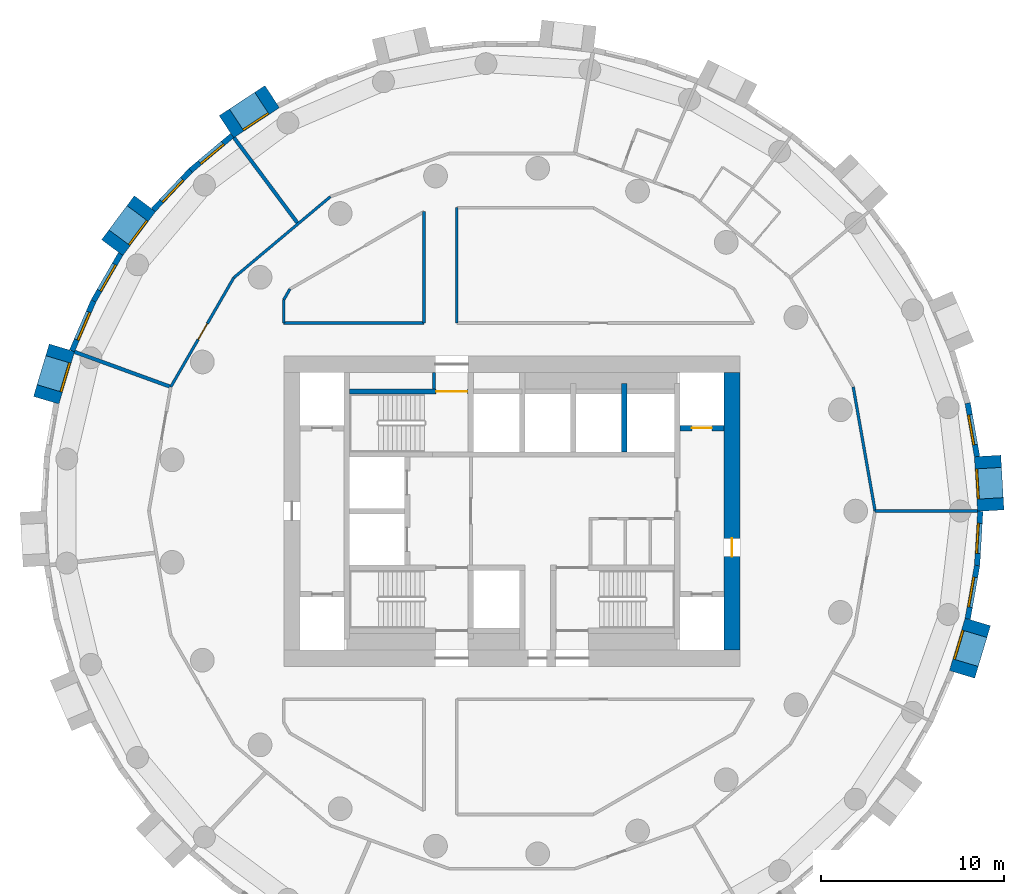
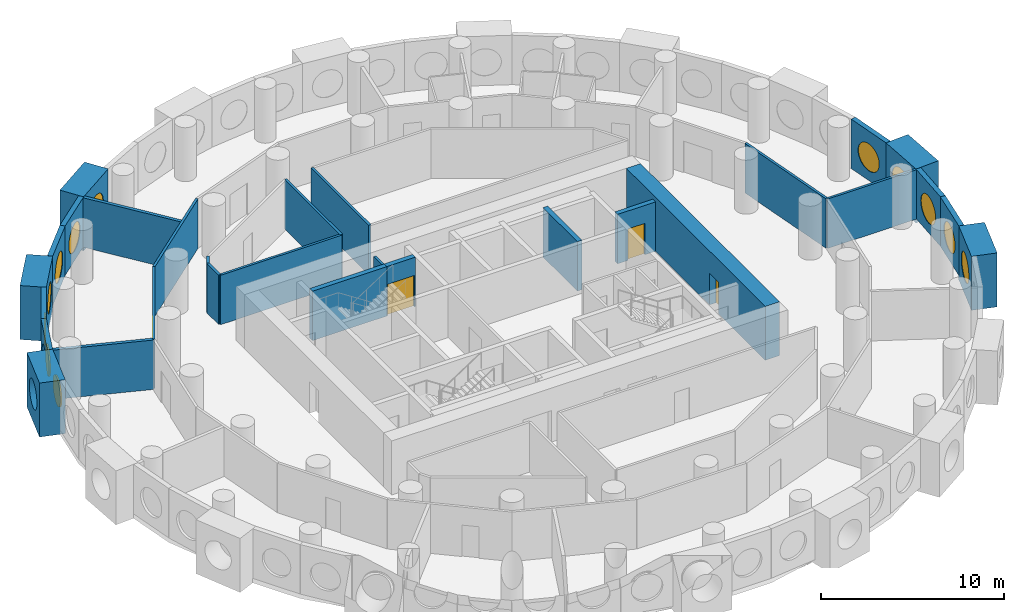
# One storey, part 5 of 9: 29 walls, 12 windows, 4 doors, 16 openings.
"""IFC4 building model written with IfcOpenShell, lengths in metres."""

from ifc_helpers import new_model, si_unit, direction, frame, frame_2d, origin, origin_2d, place, context, subcontext, project, spatial, rectangle, circle, extrude, material, layer, layer_set, type_object, element, fill, save


model = new_model("IFC4")

# Units and contexts
model_context = context("Model", 3, precision=1e-05, world=origin(), true_north=direction((0.0, 1.0)))
body_context = subcontext(model_context, "Body", "Model", "MODEL_VIEW")
ifc_project = project(units=[si_unit("LENGTHUNIT", "METRE"), si_unit("AREAUNIT", "SQUARE_METRE"), si_unit("VOLUMEUNIT", "CUBIC_METRE"), si_unit("PLANEANGLEUNIT", "RADIAN"), si_unit("MASSUNIT", "GRAM", prefix="KILO")], contexts=[model_context])

# Site, building, storey
site_placement = place(None, origin())
site = spatial("IfcSite", under=ifc_project, at=site_placement, CompositionType="ELEMENT")
building_placement = place(site_placement, origin())
building = spatial("IfcBuilding", under=site, at=building_placement, Name="Tracery Tower", CompositionType="ELEMENT")
storey_placement = place(building_placement, frame((0.0, 0.0, 151.199951171875)))
storey = spatial("IfcBuildingStorey", under=building, at=storey_placement, Name="L38", CompositionType="ELEMENT", Elevation=151.199951171875)

# Wall
ifc_material_1 = material(Name="Plasterboard on steel studs", Category="steel")
ifc_layer_1 = layer(ifc_material_1, 0.14990234375)
ifc_layer_set_1 = layer_set([ifc_layer_1], Name="Core room partition 150")
wall_type_1 = type_object("IfcWallType", Name="Core room partition 150", PredefinedType="SOLIDWALL", material=ifc_layer_set_1)
wall_1_placement = place(storey_placement, frame((-4.27490234375, 6.699951171875, 0.0), z_axis=(0.0, 0.0, 1.0), x_axis=(0.0, 1.0, 0.0)))
element("IfcWall", 1, at=wall_1_placement, inside=storey, type_object=wall_type_1, Name="L38 F N room", PredefinedType="SOLIDWALL", context=body_context, shape_type="SweptSolid", body=[
    extrude(rectangle(XDim=0.900146484375, YDim=0.14990234375, at=frame_2d((0.4501953125, 0.0))), origin(), (0.0, 0.0, 1.0), 3.300048828125),
])

# Wall, opening, door
ifc_material_2 = material(Name="Concrete C50/60", Category="concrete")
ifc_layer_2 = layer(ifc_material_2, 0.89990234375)
ifc_layer_set_2 = layer_set([ifc_layer_2], Name="Core wall 900 C50")
wall_type_2 = type_object("IfcWallType", Name="Core wall 900 C50", PredefinedType="SOLIDWALL", material=ifc_layer_set_2)
wall_2_placement = place(storey_placement, frame((12.050048828125, -7.60009765625, 0.0), z_axis=(0.0, 0.0, 1.0), x_axis=(0.0, 1.0, 0.0)))
wall_2 = element("IfcWall", 2, at=wall_2_placement, inside=storey, type_object=wall_type_2, Name="L38 outer E", PredefinedType="SOLIDWALL", context=body_context, shape_type="SweptSolid", body=[
    extrude(rectangle(XDim=15.2001953125, YDim=0.89990234375, at=frame_2d((7.60009765625, 0.0))), origin(), (0.0, 0.0, 1.0), 3.60009765625),
])
opening_1_placement = place(wall_2_placement, frame((5.10009765625, 0.0, 0.0)))
opening_1 = element("IfcOpeningElement", 3, at=opening_1_placement, cuts=wall_2, Name="Opening KD18", PredefinedType="OPENING", context=body_context, shape_type="SweptSolid", body=[
    extrude(rectangle(XDim=1.0, YDim=2.10009765625, at=frame_2d((0.5, 1.050048828125))), frame((0.0, 0.449951171875, 0.0), z_axis=(0.0, -1.0, 0.0), x_axis=(1.0, 0.0, 0.0)), (0.0, 0.0, 1.0), 0.89990234375),
])
ifc_material_3 = material(Name="Steel fire door", Category="steel")
door_type_1 = type_object("IfcDoorType", Name="Core exit door 1000", OperationType="NOTDEFINED", PredefinedType="DOOR", material=ifc_material_3)
door_1_placement = place(opening_1_placement, origin())
door_1 = element("IfcDoor", 4, at=door_1_placement, inside=storey, type_object=door_type_1, Name="Core exit door", OperationType="DOUBLE_DOOR_SINGLE_SWING", OverallHeight=2.10009765625, OverallWidth=1.0, PredefinedType="DOOR", context=body_context, shape_type="SweptSolid", body=[
    extrude(rectangle(XDim=1.0, YDim=2.10009765625, at=frame_2d((0.5, 1.050048828125))), frame((0.0, 0.02490234375, 0.0), z_axis=(0.0, -1.0, 0.0), x_axis=(1.0, 0.0, 0.0)), (0.0, 0.0, 1.0), 0.050048828125),
])
fill(opening_1, door_1)

# Wall, opening, window
ifc_material_4 = material(Name="Precast concrete C50/60", Category="concrete")
ifc_layer_3 = layer(ifc_material_4, 1.449951171875)
ifc_layer_set_3 = layer_set([ifc_layer_3], Name="Deep-set bay unit 3000 x 3600, slab edge 300")
wall_type_3 = type_object("IfcWallType", Name="Deep-set bay unit 3000 x 3600, slab edge 300", PredefinedType="ELEMENTEDWALL", material=ifc_layer_set_3)
wall_3_placement = place(storey_placement, frame((26.221923828125, 0.024658203125, -0.300048828125), z_axis=(0.0, 0.0, 1.0), x_axis=(-0.058106596105, 0.998310384344, 0.0)))
wall_3 = element("IfcWall", 5, at=wall_3_placement, inside=storey, type_object=wall_type_3, Name="Deep-set bay unit 1 at L38", PredefinedType="ELEMENTEDWALL", context=body_context, shape_type="SweptSolid", body=[
    extrude(rectangle(XDim=3.0, YDim=1.449951171875, at=frame_2d((1.5, 0.0))), origin(), (0.0, 0.0, 1.0), 3.60009765625),
])
opening_2_placement = place(wall_3_placement, frame((1.5, 0.0, 1.85009765625)))
opening_2 = element("IfcOpeningElement", 6, at=opening_2_placement, cuts=wall_3, Name="Opening WN1", PredefinedType="OPENING", context=body_context, shape_type="SweptSolid", body=[
    extrude(circle(Radius=0.9000244140625, at=origin_2d()), frame((0.0, 0.73486328125, 0.0), z_axis=(0.0, -1.0, 0.0), x_axis=(1.0, 0.0, 0.0)), (0.0, 0.0, 1.0), 1.469970703125),
])
ifc_material_5 = material(Name="Aluminium frame with tinted double glazing", Category="aluminium")
window_type = type_object("IfcWindowType", Name="Round window 1800", PartitioningType="SINGLE_PANEL", PredefinedType="WINDOW", material=ifc_material_5)
window_1_placement = place(opening_2_placement, origin())
window_1 = element("IfcWindow", 7, at=window_1_placement, inside=storey, type_object=window_type, Name="Round window 1 at L38", OverallHeight=1.800048828125, OverallWidth=1.800048828125, PartitioningType="SINGLE_PANEL", PredefinedType="WINDOW", context=body_context, shape_type="SweptSolid", body=[
    extrude(circle(Radius=0.9000244140625, at=origin_2d()), frame((0.0, 0.69482421875, 0.0), z_axis=(0.0, -1.0, 0.0), x_axis=(1.0, 0.0, 0.0)), (0.0, 0.0, 1.0), 0.10009765625),
])
fill(opening_2, window_1)

wall_4_placement = place(storey_placement, frame((-13.13232421875, 22.696533203125, -0.300048828125), z_axis=(0.0, 0.0, 1.0), x_axis=(-0.835514416706, -0.549468524554, 0.0)))
wall_4 = element("IfcWall", 8, at=wall_4_placement, inside=storey, type_object=wall_type_3, Name="Deep-set bay unit 19 at L38", PredefinedType="ELEMENTEDWALL", context=body_context, shape_type="SweptSolid", body=[
    extrude(rectangle(XDim=3.0, YDim=1.449951171875, at=frame_2d((1.5, 0.0))), origin(), (0.0, 0.0, 1.0), 3.60009765625),
])
opening_3_placement = place(wall_4_placement, frame((1.5, 0.0, 1.85009765625)))
opening_3 = element("IfcOpeningElement", 9, at=opening_3_placement, cuts=wall_4, Name="Opening WN1", PredefinedType="OPENING", context=body_context, shape_type="SweptSolid", body=[
    extrude(circle(Radius=0.9000244140625, at=origin_2d()), frame((0.0, 0.73486328125, 0.0), z_axis=(0.0, -1.0, 0.0), x_axis=(1.0, 0.0, 0.0)), (0.0, 0.0, 1.0), 1.469970703125),
])
window_2_placement = place(opening_3_placement, origin())
window_2 = element("IfcWindow", 10, at=window_2_placement, inside=storey, type_object=window_type, Name="Round window 19 at L38", OverallHeight=1.800048828125, OverallWidth=1.800048828125, PartitioningType="SINGLE_PANEL", PredefinedType="WINDOW", context=body_context, shape_type="SweptSolid", body=[
    extrude(circle(Radius=0.9000244140625, at=origin_2d()), frame((0.0, 0.69482421875, 0.0), z_axis=(0.0, -1.0, 0.0), x_axis=(1.0, 0.0, 0.0)), (0.0, 0.0, 1.0), 0.10009765625),
])
fill(opening_3, window_2)

wall_5_placement = place(storey_placement, frame((-20.10302734375, 16.836181640625, -0.300048828125), z_axis=(0.0, 0.0, 1.0), x_axis=(-0.597183717734, -0.802104486506, 0.0)))
wall_5 = element("IfcWall", 11, at=wall_5_placement, inside=storey, type_object=wall_type_3, Name="Deep-set bay unit 22 at L38", PredefinedType="ELEMENTEDWALL", context=body_context, shape_type="SweptSolid", body=[
    extrude(rectangle(XDim=3.0, YDim=1.449951171875, at=frame_2d((1.5, 0.0))), origin(), (0.0, 0.0, 1.0), 3.60009765625),
])
opening_4_placement = place(wall_5_placement, frame((1.5, 0.0, 1.85009765625)))
opening_4 = element("IfcOpeningElement", 12, at=opening_4_placement, cuts=wall_5, Name="Opening WN1", PredefinedType="OPENING", context=body_context, shape_type="SweptSolid", body=[
    extrude(circle(Radius=0.9000244140625, at=origin_2d()), frame((0.0, 0.73486328125, 0.0), z_axis=(0.0, -1.0, 0.0), x_axis=(1.0, 0.0, 0.0)), (0.0, 0.0, 1.0), 1.469970703125),
])
window_3_placement = place(opening_4_placement, origin())
window_3 = element("IfcWindow", 13, at=window_3_placement, inside=storey, type_object=window_type, Name="Round window 22 at L38", OverallHeight=1.800048828125, OverallWidth=1.800048828125, PartitioningType="SINGLE_PANEL", PredefinedType="WINDOW", context=body_context, shape_type="SweptSolid", body=[
    extrude(circle(Radius=0.9000244140625, at=origin_2d()), frame((0.0, 0.69482421875, 0.0), z_axis=(0.0, -1.0, 0.0), x_axis=(1.0, 0.0, 0.0)), (0.0, 0.0, 1.0), 0.10009765625),
])
fill(opening_4, window_3)

wall_6_placement = place(storey_placement, frame((-24.649169921875, 8.9453125, -0.300048828125), z_axis=(0.0, 0.0, 1.0), x_axis=(-0.286780420304, -0.957996341606, 0.0)))
wall_6 = element("IfcWall", 14, at=wall_6_placement, inside=storey, type_object=wall_type_3, Name="Deep-set bay unit 25 at L38", PredefinedType="ELEMENTEDWALL", context=body_context, shape_type="SweptSolid", body=[
    extrude(rectangle(XDim=3.0, YDim=1.449951171875, at=frame_2d((1.5, 0.0))), origin(), (0.0, 0.0, 1.0), 3.60009765625),
])
opening_5_placement = place(wall_6_placement, frame((1.5, 0.0, 1.85009765625)))
opening_5 = element("IfcOpeningElement", 15, at=opening_5_placement, cuts=wall_6, Name="Opening WN1", PredefinedType="OPENING", context=body_context, shape_type="SweptSolid", body=[
    extrude(circle(Radius=0.9000244140625, at=origin_2d()), frame((0.0, 0.73486328125, 0.0), z_axis=(0.0, -1.0, 0.0), x_axis=(1.0, 0.0, 0.0)), (0.0, 0.0, 1.0), 1.469970703125),
])
window_4_placement = place(opening_5_placement, origin())
window_4 = element("IfcWindow", 16, at=window_4_placement, inside=storey, type_object=window_type, Name="Round window 25 at L38", OverallHeight=1.800048828125, OverallWidth=1.800048828125, PartitioningType="SINGLE_PANEL", PredefinedType="WINDOW", context=body_context, shape_type="SweptSolid", body=[
    extrude(circle(Radius=0.9000244140625, at=origin_2d()), frame((0.0, 0.69482421875, 0.0), z_axis=(0.0, -1.0, 0.0), x_axis=(1.0, 0.0, 0.0)), (0.0, 0.0, 1.0), 0.10009765625),
])
fill(opening_5, window_4)

wall_7_placement = place(storey_placement, frame((24.649169921875, -8.9453125, -0.300048828125), z_axis=(0.0, 0.0, 1.0), x_axis=(0.286780420304, 0.957996341606, 0.0)))
wall_7 = element("IfcWall", 17, at=wall_7_placement, inside=storey, type_object=wall_type_3, Name="Deep-set bay unit 52 at L38", PredefinedType="ELEMENTEDWALL", context=body_context, shape_type="SweptSolid", body=[
    extrude(rectangle(XDim=3.0, YDim=1.449951171875, at=frame_2d((1.5, 0.0))), origin(), (0.0, 0.0, 1.0), 3.60009765625),
])
opening_6_placement = place(wall_7_placement, frame((1.5, 0.0, 1.85009765625)))
opening_6 = element("IfcOpeningElement", 18, at=opening_6_placement, cuts=wall_7, Name="Opening WN1", PredefinedType="OPENING", context=body_context, shape_type="SweptSolid", body=[
    extrude(circle(Radius=0.9000244140625, at=origin_2d()), frame((0.0, 0.73486328125, 0.0), z_axis=(0.0, -1.0, 0.0), x_axis=(1.0, 0.0, 0.0)), (0.0, 0.0, 1.0), 1.469970703125),
])
window_5_placement = place(opening_6_placement, origin())
window_5 = element("IfcWindow", 19, at=window_5_placement, inside=storey, type_object=window_type, Name="Round window 52 at L38", OverallHeight=1.800048828125, OverallWidth=1.800048828125, PartitioningType="SINGLE_PANEL", PredefinedType="WINDOW", context=body_context, shape_type="SweptSolid", body=[
    extrude(circle(Radius=0.9000244140625, at=origin_2d()), frame((0.0, 0.69482421875, 0.0), z_axis=(0.0, -1.0, 0.0), x_axis=(1.0, 0.0, 0.0)), (0.0, 0.0, 1.0), 0.10009765625),
])
fill(opening_6, window_5)

ifc_material_6 = material(Name="Precast concrete C50/60", Category="concrete")
ifc_layer_4 = layer(ifc_material_6, 0.300048828125)
ifc_layer_set_4 = layer_set([ifc_layer_4], Name="Facade panel 3000 x 3300")
wall_type_4 = type_object("IfcWallType", Name="Facade panel 3000 x 3300", PredefinedType="SOLIDWALL", material=ifc_layer_set_4)
wall_8_placement = place(storey_placement, frame((25.472412109375, 2.987060546875, 0.0), z_axis=(0.0, 0.0, 1.0), x_axis=(-0.173686952598, 0.984800915159, 0.0)))
wall_8 = element("IfcWall", 20, at=wall_8_placement, inside=storey, type_object=wall_type_4, Name="Facade panel 2 at L38", PredefinedType="SOLIDWALL", context=body_context, shape_type="SweptSolid", body=[
    extrude(rectangle(XDim=2.972900390625, YDim=0.300048828125, at=frame_2d((1.486328125, 0.0))), origin(), (0.0, 0.0, 1.0), 3.300048828125),
])
opening_7_placement = place(wall_8_placement, frame((1.486328125, 0.0, 1.5498046875)))
opening_7 = element("IfcOpeningElement", 21, at=opening_7_placement, cuts=wall_8, Name="Opening WN1", PredefinedType="OPENING", context=body_context, shape_type="SweptSolid", body=[
    extrude(circle(Radius=0.9000244140625, at=origin_2d()), frame((0.0, 0.159912109375, 0.0), z_axis=(0.0, -1.0, 0.0), x_axis=(1.0, 0.0, 0.0)), (0.0, 0.0, 1.0), 0.320068359375),
])
window_6_placement = place(opening_7_placement, origin())
window_6 = element("IfcWindow", 22, at=window_6_placement, inside=storey, type_object=window_type, Name="Round window 2 at L38", OverallHeight=1.800048828125, OverallWidth=1.800048828125, PartitioningType="SINGLE_PANEL", PredefinedType="WINDOW", context=body_context, shape_type="SweptSolid", body=[
    extrude(circle(Radius=0.9000244140625, at=origin_2d()), frame((0.0, 0.1201171875, 0.0), z_axis=(0.0, -1.0, 0.0), x_axis=(1.0, 0.0, 0.0)), (0.0, 0.0, 1.0), 0.10009765625),
])
fill(opening_7, window_6)

wall_9_placement = place(storey_placement, frame((-15.322998046875, 20.566162109375, 0.0), z_axis=(0.0, 0.0, 1.0), x_axis=(-0.766049350637, -0.642781761089, 0.0)))
wall_9 = element("IfcWall", 23, at=wall_9_placement, inside=storey, type_object=wall_type_4, Name="Facade panel 20 at L38", PredefinedType="SOLIDWALL", context=body_context, shape_type="SweptSolid", body=[
    extrude(rectangle(XDim=2.972900390625, YDim=0.300048828125, at=frame_2d((1.486328125, 0.0))), origin(), (0.0, 0.0, 1.0), 3.300048828125),
])
opening_8_placement = place(wall_9_placement, frame((1.486328125, 0.0, 1.5498046875)))
opening_8 = element("IfcOpeningElement", 24, at=opening_8_placement, cuts=wall_9, Name="Opening WN1", PredefinedType="OPENING", context=body_context, shape_type="SweptSolid", body=[
    extrude(circle(Radius=0.9000244140625, at=origin_2d()), frame((0.0, 0.159912109375, 0.0), z_axis=(0.0, -1.0, 0.0), x_axis=(1.0, 0.0, 0.0)), (0.0, 0.0, 1.0), 0.320068359375),
])
window_7_placement = place(opening_8_placement, origin())
window_7 = element("IfcWindow", 25, at=window_7_placement, inside=storey, type_object=window_type, Name="Round window 20 at L38", OverallHeight=1.800048828125, OverallWidth=1.800048828125, PartitioningType="SINGLE_PANEL", PredefinedType="WINDOW", context=body_context, shape_type="SweptSolid", body=[
    extrude(circle(Radius=0.9000244140625, at=origin_2d()), frame((0.0, 0.1201171875, 0.0), z_axis=(0.0, -1.0, 0.0), x_axis=(1.0, 0.0, 0.0)), (0.0, 0.0, 1.0), 0.10009765625),
])
fill(opening_8, window_7)

wall_10_placement = place(storey_placement, frame((-17.600341796875, 18.6552734375, 0.0), z_axis=(0.0, 0.0, 1.0), x_axis=(-0.686235184166, -0.727379730273, 0.0)))
wall_10 = element("IfcWall", 26, at=wall_10_placement, inside=storey, type_object=wall_type_4, Name="Facade panel 21 at L38", PredefinedType="SOLIDWALL", context=body_context, shape_type="SweptSolid", body=[
    extrude(rectangle(XDim=2.972900390625, YDim=0.300048828125, at=frame_2d((1.486328125, 0.0))), origin(), (0.0, 0.0, 1.0), 3.300048828125),
])
opening_9_placement = place(wall_10_placement, frame((1.486328125, 0.0, 1.5498046875)))
opening_9 = element("IfcOpeningElement", 27, at=opening_9_placement, cuts=wall_10, Name="Opening WN1", PredefinedType="OPENING", context=body_context, shape_type="SweptSolid", body=[
    extrude(circle(Radius=0.9000244140625, at=origin_2d()), frame((0.0, 0.159912109375, 0.0), z_axis=(0.0, -1.0, 0.0), x_axis=(1.0, 0.0, 0.0)), (0.0, 0.0, 1.0), 0.320068359375),
])
window_8_placement = place(opening_9_placement, origin())
window_8 = element("IfcWindow", 28, at=window_8_placement, inside=storey, type_object=window_type, Name="Round window 21 at L38", OverallHeight=1.800048828125, OverallWidth=1.800048828125, PartitioningType="SINGLE_PANEL", PredefinedType="WINDOW", context=body_context, shape_type="SweptSolid", body=[
    extrude(circle(Radius=0.9000244140625, at=origin_2d()), frame((0.0, 0.1201171875, 0.0), z_axis=(0.0, -1.0, 0.0), x_axis=(1.0, 0.0, 0.0)), (0.0, 0.0, 1.0), 0.10009765625),
])
fill(opening_9, window_8)

wall_11_placement = place(storey_placement, frame((-21.432861328125, 14.085205078125, 0.0), z_axis=(0.0, 0.0, 1.0), x_axis=(-0.500016263033, -0.866016014115, 0.0)))
wall_11 = element("IfcWall", 29, at=wall_11_placement, inside=storey, type_object=wall_type_4, Name="Facade panel 23 at L38", PredefinedType="SOLIDWALL", context=body_context, shape_type="SweptSolid", body=[
    extrude(rectangle(XDim=2.97314453125, YDim=0.300048828125, at=frame_2d((1.486572265625, 0.0))), origin(), (0.0, 0.0, 1.0), 3.300048828125),
])
opening_10_placement = place(wall_11_placement, frame((1.486328125, 0.0, 1.5498046875)))
opening_10 = element("IfcOpeningElement", 30, at=opening_10_placement, cuts=wall_11, Name="Opening WN1", PredefinedType="OPENING", context=body_context, shape_type="SweptSolid", body=[
    extrude(circle(Radius=0.9000244140625, at=origin_2d()), frame((0.0, 0.159912109375, 0.0), z_axis=(0.0, -1.0, 0.0), x_axis=(1.0, 0.0, 0.0)), (0.0, 0.0, 1.0), 0.320068359375),
])
window_9_placement = place(opening_10_placement, origin())
window_9 = element("IfcWindow", 31, at=window_9_placement, inside=storey, type_object=window_type, Name="Round window 23 at L38", OverallHeight=1.800048828125, OverallWidth=1.800048828125, PartitioningType="SINGLE_PANEL", PredefinedType="WINDOW", context=body_context, shape_type="SweptSolid", body=[
    extrude(circle(Radius=0.9000244140625, at=origin_2d()), frame((0.0, 0.1201171875, 0.0), z_axis=(0.0, -1.0, 0.0), x_axis=(1.0, 0.0, 0.0)), (0.0, 0.0, 1.0), 0.10009765625),
])
fill(opening_10, window_9)

wall_12_placement = place(storey_placement, frame((-22.91943359375, 11.510498046875, 0.0), z_axis=(0.0, 0.0, 1.0), x_axis=(-0.396078892785, -0.918216483565, 0.0)))
wall_12 = element("IfcWall", 32, at=wall_12_placement, inside=storey, type_object=wall_type_4, Name="Facade panel 24 at L38", PredefinedType="SOLIDWALL", context=body_context, shape_type="SweptSolid", body=[
    extrude(rectangle(XDim=2.972900390625, YDim=0.300048828125, at=frame_2d((1.486328125, 0.0))), origin(), (0.0, 0.0, 1.0), 3.300048828125),
])
opening_11_placement = place(wall_12_placement, frame((1.486328125, 0.0, 1.5498046875)))
opening_11 = element("IfcOpeningElement", 33, at=opening_11_placement, cuts=wall_12, Name="Opening WN1", PredefinedType="OPENING", context=body_context, shape_type="SweptSolid", body=[
    extrude(circle(Radius=0.9000244140625, at=origin_2d()), frame((0.0, 0.159912109375, 0.0), z_axis=(0.0, -1.0, 0.0), x_axis=(1.0, 0.0, 0.0)), (0.0, 0.0, 1.0), 0.320068359375),
])
window_10_placement = place(opening_11_placement, origin())
window_10 = element("IfcWindow", 34, at=window_10_placement, inside=storey, type_object=window_type, Name="Round window 24 at L38", OverallHeight=1.800048828125, OverallWidth=1.800048828125, PartitioningType="SINGLE_PANEL", PredefinedType="WINDOW", context=body_context, shape_type="SweptSolid", body=[
    extrude(circle(Radius=0.9000244140625, at=origin_2d()), frame((0.0, 0.1201171875, 0.0), z_axis=(0.0, -1.0, 0.0), x_axis=(1.0, 0.0, 0.0)), (0.0, 0.0, 1.0), 0.10009765625),
])
fill(opening_11, window_10)

wall_13_placement = place(storey_placement, frame((24.957763671875, -5.9052734375, 0.0), z_axis=(0.0, 0.0, 1.0), x_axis=(0.173686952598, 0.984800915159, 0.0)))
wall_13 = element("IfcWall", 35, at=wall_13_placement, inside=storey, type_object=wall_type_4, Name="Facade panel 53 at L38", PredefinedType="SOLIDWALL", context=body_context, shape_type="SweptSolid", body=[
    extrude(rectangle(XDim=2.972900390625, YDim=0.300048828125, at=frame_2d((1.486328125, 0.0))), origin(), (0.0, 0.0, 1.0), 3.300048828125),
])
opening_12_placement = place(wall_13_placement, frame((1.486328125, 0.0, 1.5498046875)))
opening_12 = element("IfcOpeningElement", 36, at=opening_12_placement, cuts=wall_13, Name="Opening WN1", PredefinedType="OPENING", context=body_context, shape_type="SweptSolid", body=[
    extrude(circle(Radius=0.9000244140625, at=origin_2d()), frame((0.0, 0.159912109375, 0.0), z_axis=(0.0, -1.0, 0.0), x_axis=(1.0, 0.0, 0.0)), (0.0, 0.0, 1.0), 0.320068359375),
])
window_11_placement = place(opening_12_placement, origin())
window_11 = element("IfcWindow", 37, at=window_11_placement, inside=storey, type_object=window_type, Name="Round window 53 at L38", OverallHeight=1.800048828125, OverallWidth=1.800048828125, PartitioningType="SINGLE_PANEL", PredefinedType="WINDOW", context=body_context, shape_type="SweptSolid", body=[
    extrude(circle(Radius=0.9000244140625, at=origin_2d()), frame((0.0, 0.1201171875, 0.0), z_axis=(0.0, -1.0, 0.0), x_axis=(1.0, 0.0, 0.0)), (0.0, 0.0, 1.0), 0.10009765625),
])
fill(opening_12, window_11)

wall_14_placement = place(storey_placement, frame((25.47412109375, -2.9775390625, 0.0), z_axis=(0.0, 0.0, 1.0), x_axis=(0.058139540521, 0.998308466271, 0.0)))
wall_14 = element("IfcWall", 38, at=wall_14_placement, inside=storey, type_object=wall_type_4, Name="Facade panel 54 at L38", PredefinedType="SOLIDWALL", context=body_context, shape_type="SweptSolid", body=[
    extrude(rectangle(XDim=2.97314453125, YDim=0.300048828125, at=frame_2d((1.486572265625, 0.0))), origin(), (0.0, 0.0, 1.0), 3.300048828125),
])
opening_13_placement = place(wall_14_placement, frame((1.486328125, 0.0, 1.5498046875)))
opening_13 = element("IfcOpeningElement", 39, at=opening_13_placement, cuts=wall_14, Name="Opening WN1", PredefinedType="OPENING", context=body_context, shape_type="SweptSolid", body=[
    extrude(circle(Radius=0.9000244140625, at=origin_2d()), frame((0.0, 0.159912109375, 0.0), z_axis=(0.0, -1.0, 0.0), x_axis=(1.0, 0.0, 0.0)), (0.0, 0.0, 1.0), 0.320068359375),
])
window_12_placement = place(opening_13_placement, origin())
window_12 = element("IfcWindow", 40, at=window_12_placement, inside=storey, type_object=window_type, Name="Round window 54 at L38", OverallHeight=1.800048828125, OverallWidth=1.800048828125, PartitioningType="SINGLE_PANEL", PredefinedType="WINDOW", context=body_context, shape_type="SweptSolid", body=[
    extrude(circle(Radius=0.9000244140625, at=origin_2d()), frame((0.0, 0.1201171875, 0.0), z_axis=(0.0, -1.0, 0.0), x_axis=(1.0, 0.0, 0.0)), (0.0, 0.0, 1.0), 0.10009765625),
])
fill(opening_13, window_12)

# Walls
ifc_material_7 = material(Name="Plasterboard on steel studs", Category="steel")
ifc_layer_5 = layer(ifc_material_7, 0.14990234375)
ifc_layer_set_5 = layer_set([ifc_layer_5], Name="Partition 150 acoustic unit wall")
wall_type_5 = type_object("IfcWallType", Name="Partition 150 acoustic unit wall", PredefinedType="PARTITIONING", material=ifc_layer_set_5)
wall_15_placement = place(storey_placement, frame((19.887939453125, 0.0, 0.0), z_axis=(0.0, 0.0, 1.0), x_axis=(1.0, 0.0, 0.0)))
element("IfcWall", 41, at=wall_15_placement, inside=storey, type_object=wall_type_5, Name="Unit wall RB3-040", PredefinedType="PARTITIONING", context=body_context, shape_type="SweptSolid", body=[
    extrude(rectangle(XDim=5.609130859375, YDim=0.14990234375, at=frame_2d((2.8046875, 0.0))), origin(), (0.0, 0.0, 1.0), 3.300048828125),
])
ifc_material_8 = material(Name="Plasterboard on steel studs", Category="steel")
ifc_layer_6 = layer(ifc_material_8, 0.14990234375)
ifc_layer_set_6 = layer_set([ifc_layer_6], Name="Partition 150 corridor wall")
wall_type_6 = type_object("IfcWallType", Name="Partition 150 corridor wall", PredefinedType="PARTITIONING", material=ifc_layer_set_6)
wall_16_placement = place(storey_placement, frame((-12.50390625, 10.300048828125, 0.0), z_axis=(0.0, 0.0, 1.0), x_axis=(1.0, 0.0, 0.0)))
element("IfcWall", 42, at=wall_16_placement, inside=storey, type_object=wall_type_6, Name="Corridor wall RB3-001", PredefinedType="PARTITIONING", context=body_context, shape_type="SweptSolid", body=[
    extrude(rectangle(XDim=7.68701171875, YDim=0.14990234375, at=frame_2d((3.843505859375, 0.0))), origin(), (0.0, 0.0, 1.0), 3.300048828125),
])
wall_17_placement = place(storey_placement, frame((18.68798828125, 6.802001953125, 0.0), z_axis=(0.0, 0.0, 1.0), x_axis=(0.173728873845, -0.98479352069, 0.0)))
element("IfcWall", 43, at=wall_17_placement, inside=storey, type_object=wall_type_6, Name="Corridor wall RB3-008", PredefinedType="PARTITIONING", context=body_context, shape_type="SweptSolid", body=[
    extrude(rectangle(XDim=6.906982421875, YDim=0.14990234375, at=frame_2d((3.45361328125, 0.0))), origin(), (0.0, 0.0, 1.0), 3.300048828125),
])
wall_18_placement = place(storey_placement, frame((-4.821044921875, 10.300048828125, 0.0), z_axis=(0.0, 0.0, 1.0), x_axis=(0.0, 1.0, 0.0)))
element("IfcWall", 44, at=wall_18_placement, inside=storey, type_object=wall_type_6, Name="Corridor wall RB3-013", PredefinedType="PARTITIONING", context=body_context, shape_type="SweptSolid", body=[
    extrude(rectangle(XDim=6.100830078125, YDim=0.14990234375, at=frame_2d((3.05029296875, 0.0))), origin(), (0.0, 0.0, 1.0), 3.300048828125),
])
wall_19_placement = place(storey_placement, frame((-3.02099609375, 10.300048828125, 0.0), z_axis=(0.0, 0.0, 1.0), x_axis=(0.0, 1.0, 0.0)))
element("IfcWall", 45, at=wall_19_placement, inside=storey, type_object=wall_type_6, Name="Corridor wall RB3-017", PredefinedType="PARTITIONING", context=body_context, shape_type="SweptSolid", body=[
    extrude(rectangle(XDim=6.31396484375, YDim=0.14990234375, at=frame_2d((3.156982421875, 0.0))), origin(), (0.0, 0.0, 1.0), 3.300048828125),
])
wall_20_placement = place(storey_placement, frame((-15.23388671875, 12.78271484375, 0.0), z_axis=(0.0, 0.0, 1.0), x_axis=(0.765936018543, 0.642916802937, 0.0)))
element("IfcWall", 46, at=wall_20_placement, inside=storey, type_object=wall_type_6, Name="Corridor wall RB3-019", PredefinedType="PARTITIONING", context=body_context, shape_type="SweptSolid", body=[
    extrude(rectangle(XDim=6.90625, YDim=0.14990234375, at=frame_2d((3.453125, 0.0))), origin(), (0.0, 0.0, 1.0), 3.300048828125),
])
wall_21_placement = place(storey_placement, frame((-12.5, 11.576904296875, 0.0), z_axis=(0.0, 0.0, 1.0), x_axis=(0.500024767483, 0.866011103799, 0.0)))
element("IfcWall", 47, at=wall_21_placement, inside=storey, type_object=wall_type_6, Name="Corridor wall RB3-022", PredefinedType="PARTITIONING", context=body_context, shape_type="SweptSolid", body=[
    extrude(rectangle(XDim=0.67578125, YDim=0.14990234375, at=frame_2d((0.337890625, 0.0))), origin(), (0.0, 0.0, 1.0), 3.300048828125),
])
wall_22_placement = place(storey_placement, frame((-12.5, 10.300048828125, 0.0), z_axis=(0.0, 0.0, 1.0), x_axis=(0.0, 1.0, 0.0)))
element("IfcWall", 48, at=wall_22_placement, inside=storey, type_object=wall_type_6, Name="Corridor wall RB3-023", PredefinedType="PARTITIONING", context=body_context, shape_type="SweptSolid", body=[
    extrude(rectangle(XDim=1.27685546875, YDim=0.14990234375, at=frame_2d((0.638427734375, 0.0))), origin(), (0.0, 0.0, 1.0), 3.300048828125),
])

# Wall, opening, door
wall_23_placement = place(storey_placement, frame((-18.68798828125, 6.802001953125, 0.0), z_axis=(0.0, 0.0, 1.0), x_axis=(0.499914202267, 0.866074933462, 0.0)))
wall_23 = element("IfcWall", 49, at=wall_23_placement, inside=storey, type_object=wall_type_6, Name="Corridor wall RB3-026", PredefinedType="PARTITIONING", context=body_context, shape_type="SweptSolid", body=[
    extrude(rectangle(XDim=6.906982421875, YDim=0.14990234375, at=frame_2d((3.45361328125, 0.0))), origin(), (0.0, 0.0, 1.0), 3.300048828125),
])
opening_14_placement = place(wall_23_placement, frame((3.00390625, 0.0, 0.0)))
opening_14 = element("IfcOpeningElement", 50, at=opening_14_placement, cuts=wall_23, Name="Opening RB3-13", PredefinedType="OPENING", context=body_context, shape_type="SweptSolid", body=[
    extrude(rectangle(XDim=1.0, YDim=2.0400390625, at=frame_2d((0.5, 1.02001953125))), frame((0.0, 0.074951171875, 0.0), z_axis=(0.0, -1.0, 0.0), x_axis=(1.0, 0.0, 0.0)), (0.0, 0.0, 1.0), 0.14990234375),
])
ifc_material_9 = material(Name="Timber door leaf", Category="wood")
door_type_2 = type_object("IfcDoorType", Name="Door communal room 1000", OperationType="NOTDEFINED", PredefinedType="DOOR", material=ifc_material_9)
door_2_placement = place(opening_14_placement, origin())
door_2 = element("IfcDoor", 51, at=door_2_placement, inside=storey, type_object=door_type_2, Name="Communal room door RB3-13", OperationType="SINGLE_SWING_RIGHT", OverallHeight=2.0400390625, OverallWidth=1.0, PredefinedType="DOOR", context=body_context, shape_type="SweptSolid", body=[
    extrude(rectangle(XDim=1.0, YDim=2.0400390625, at=frame_2d((0.5, 1.02001953125))), frame((0.0, 0.02490234375, 0.0), z_axis=(0.0, -1.0, 0.0), x_axis=(1.0, 0.0, 0.0)), (0.0, 0.0, 1.0), 0.050048828125),
])
fill(opening_14, door_2)

# Walls
ifc_material_10 = material(Name="Plasterboard on steel studs", Category="steel")
ifc_layer_7 = layer(ifc_material_10, 0.199951171875)
ifc_layer_set_7 = layer_set([ifc_layer_7], Name="Partition 200 compartment wall")
wall_type_7 = type_object("IfcWallType", Name="Partition 200 compartment wall", PredefinedType="PARTITIONING", material=ifc_layer_set_7)
wall_24_placement = place(storey_placement, frame((-15.22607421875, 20.451904296875, 0.0), z_axis=(0.0, 0.0, 1.0), x_axis=(0.597151875745, -0.802128192557, 0.0)))
element("IfcWall", 52, at=wall_24_placement, inside=storey, type_object=wall_type_7, Name="Compartment wall RB3-051", PredefinedType="PARTITIONING", context=body_context, shape_type="SweptSolid", body=[
    extrude(rectangle(XDim=5.8779296875, YDim=0.199951171875, at=frame_2d((2.93896484375, 0.0))), origin(), (0.0, 0.0, 1.0), 3.300048828125),
])
wall_25_placement = place(storey_placement, frame((-23.9599609375, 8.720947265625, 0.0), z_axis=(0.0, 0.0, 1.0), x_axis=(0.939686652043, -0.342036541866, 0.0)))
element("IfcWall", 53, at=wall_25_placement, inside=storey, type_object=wall_type_7, Name="Compartment wall RB3-052", PredefinedType="PARTITIONING", context=body_context, shape_type="SweptSolid", body=[
    extrude(rectangle(XDim=5.6103515625, YDim=0.199951171875, at=frame_2d((2.80517578125, 0.0))), origin(), (0.0, 0.0, 1.0), 3.300048828125),
])
ifc_material_11 = material(Name="Concrete C50/60", Category="concrete")
ifc_layer_8 = layer(ifc_material_11, 0.300048828125)
ifc_layer_set_8 = layer_set([ifc_layer_8], Name="Shaft wall 300 C50")
wall_type_8 = type_object("IfcWallType", Name="Shaft wall 300 C50", PredefinedType="SOLIDWALL", material=ifc_layer_set_8)
wall_26_placement = place(storey_placement, frame((6.14990234375, 3.25, 0.0), z_axis=(0.0, 0.0, 1.0), x_axis=(0.0, 1.0, 0.0)))
element("IfcWall", 54, at=wall_26_placement, inside=storey, type_object=wall_type_8, Name="L38 HR sep 3", PredefinedType="SOLIDWALL", context=body_context, shape_type="SweptSolid", body=[
    extrude(rectangle(XDim=3.75, YDim=0.300048828125, at=frame_2d((1.875, 0.0))), origin(), (0.0, 0.0, 1.0), 3.300048828125),
])

# Wall, opening, door
wall_27_placement = place(storey_placement, frame((9.199951171875, 4.550048828125, 0.0), z_axis=(0.0, 0.0, 1.0), x_axis=(1.0, 0.0, 0.0)))
wall_27 = element("IfcWall", 55, at=wall_27_placement, inside=storey, type_object=wall_type_8, Name="L38 MR E +4.55", PredefinedType="SOLIDWALL", context=body_context, shape_type="SweptSolid", body=[
    extrude(rectangle(XDim=2.400146484375, YDim=0.300048828125, at=frame_2d((1.2001953125, 0.0))), origin(), (0.0, 0.0, 1.0), 3.300048828125),
])
opening_15_placement = place(wall_27_placement, frame((0.64990234375, 0.0, 0.0)))
opening_15 = element("IfcOpeningElement", 56, at=opening_15_placement, cuts=wall_27, Name="Opening KD49", PredefinedType="OPENING", context=body_context, shape_type="SweptSolid", body=[
    extrude(rectangle(XDim=1.10009765625, YDim=2.10009765625, at=frame_2d((0.550048828125, 1.050048828125))), frame((0.0, 0.14990234375, 0.0), z_axis=(0.0, -1.0, 0.0), x_axis=(1.0, 0.0, 0.0)), (0.0, 0.0, 1.0), 0.300048828125),
])
ifc_material_12 = material(Name="Steel fire door", Category="steel")
door_type_3 = type_object("IfcDoorType", Name="Landing door 1100", OperationType="NOTDEFINED", PredefinedType="DOOR", material=ifc_material_12)
door_3_placement = place(opening_15_placement, origin())
door_3 = element("IfcDoor", 57, at=door_3_placement, inside=storey, type_object=door_type_3, Name="Landing door MR4", OperationType="SLIDING_TO_LEFT", OverallHeight=2.10009765625, OverallWidth=1.10009765625, PredefinedType="DOOR", context=body_context, shape_type="SweptSolid", body=[
    extrude(rectangle(XDim=1.10009765625, YDim=2.10009765625, at=frame_2d((0.550048828125, 1.050048828125))), frame((0.0, 0.02490234375, 0.0), z_axis=(0.0, -1.0, 0.0), x_axis=(1.0, 0.0, 0.0)), (0.0, 0.0, 1.0), 0.050048828125),
])
fill(opening_15, door_3)

# Wall
ifc_material_13 = material(Name="Concrete C50/60", Category="concrete")
ifc_layer_9 = layer(ifc_material_13, 0.300048828125)
ifc_layer_set_9 = layer_set([ifc_layer_9], Name="Stair wall 300 C50")
wall_type_9 = type_object("IfcWallType", Name="Stair wall 300 C50", PredefinedType="SOLIDWALL", material=ifc_layer_set_9)
wall_28_placement = place(storey_placement, frame((-8.89990234375, 6.550048828125, 0.0), z_axis=(0.0, 0.0, 1.0), x_axis=(1.0, 0.0, 0.0)))
element("IfcWall", 58, at=wall_28_placement, inside=storey, type_object=wall_type_9, Name="L38 F N W", PredefinedType="SOLIDWALL", context=body_context, shape_type="SweptSolid", body=[
    extrude(rectangle(XDim=4.699951171875, YDim=0.300048828125, at=frame_2d((2.35009765625, 0.0))), origin(), (0.0, 0.0, 1.0), 3.300048828125),
])

# Wall, opening, door
wall_29_placement = place(storey_placement, frame((-4.199951171875, 6.550048828125, 0.0), z_axis=(0.0, 0.0, 1.0), x_axis=(1.0, 0.0, 0.0)))
wall_29 = element("IfcWall", 59, at=wall_29_placement, inside=storey, type_object=wall_type_9, Name="L38 F stair N", PredefinedType="SOLIDWALL", context=body_context, shape_type="SweptSolid", body=[
    extrude(rectangle(XDim=1.800048828125, YDim=0.300048828125, at=frame_2d((0.89990234375, 0.0))), origin(), (0.0, 0.0, 1.0), 3.300048828125),
])
opening_16_placement = place(wall_29_placement, frame((0.050048828125, 0.0, 0.0)))
opening_16 = element("IfcOpeningElement", 60, at=opening_16_placement, cuts=wall_29, Name="Opening KD3", PredefinedType="OPENING", context=body_context, shape_type="SweptSolid", body=[
    extrude(rectangle(XDim=1.699951171875, YDim=2.10009765625, at=frame_2d((0.85009765625, 1.050048828125))), frame((0.0, 0.14990234375, 0.0), z_axis=(0.0, -1.0, 0.0), x_axis=(1.0, 0.0, 0.0)), (0.0, 0.0, 1.0), 0.300048828125),
])
ifc_material_14 = material(Name="Steel fire door", Category="steel")
door_type_4 = type_object("IfcDoorType", Name="Core stair door 1700 double", OperationType="NOTDEFINED", PredefinedType="DOOR", material=ifc_material_14)
door_4_placement = place(opening_16_placement, origin())
door_4 = element("IfcDoor", 61, at=door_4_placement, inside=storey, type_object=door_type_4, Name="Stair door vest", OperationType="DOUBLE_DOOR_SINGLE_SWING", OverallHeight=2.10009765625, OverallWidth=1.699951171875, PredefinedType="DOOR", context=body_context, shape_type="SweptSolid", body=[
    extrude(rectangle(XDim=1.699951171875, YDim=2.10009765625, at=frame_2d((0.85009765625, 1.050048828125))), frame((0.0, 0.02490234375, 0.0), z_axis=(0.0, -1.0, 0.0), x_axis=(1.0, 0.0, 0.0)), (0.0, 0.0, 1.0), 0.050048828125),
])
fill(opening_16, door_4)

save(model, "model.ifc")
